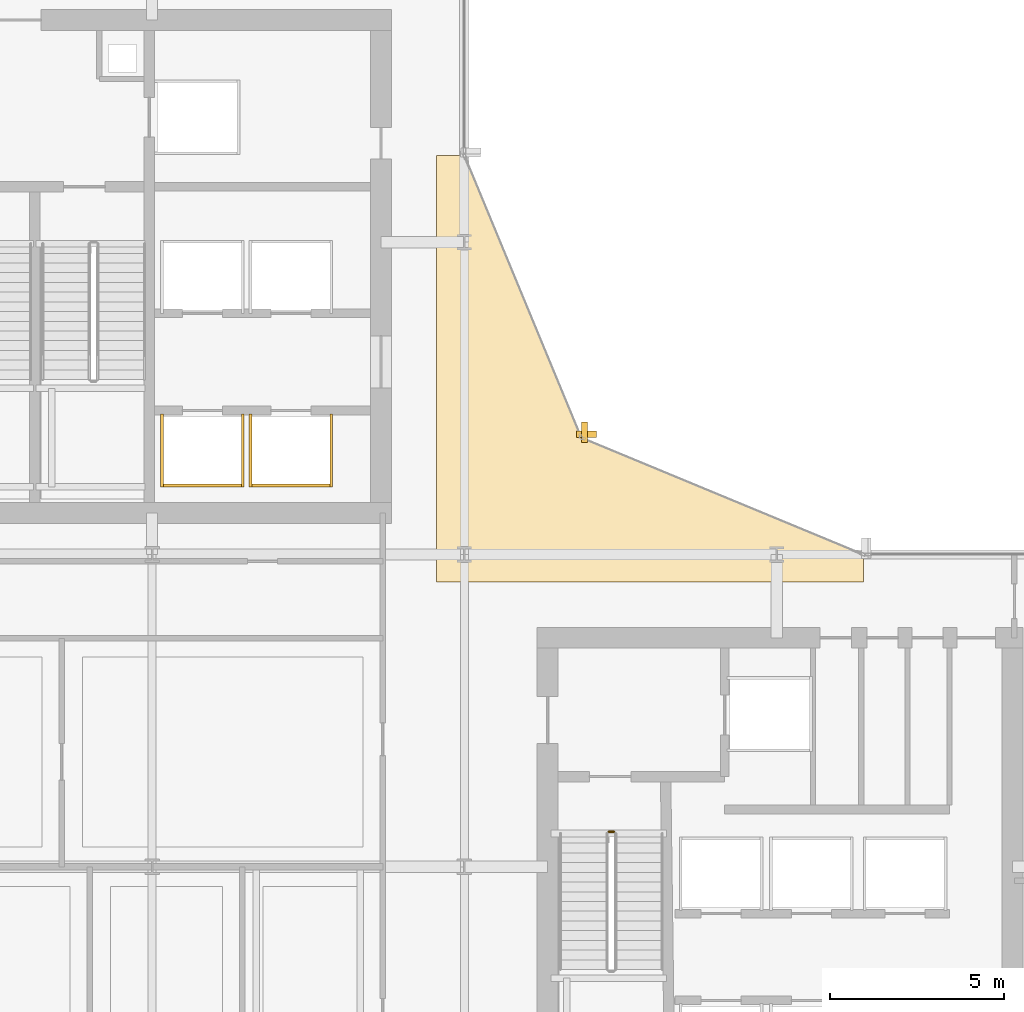
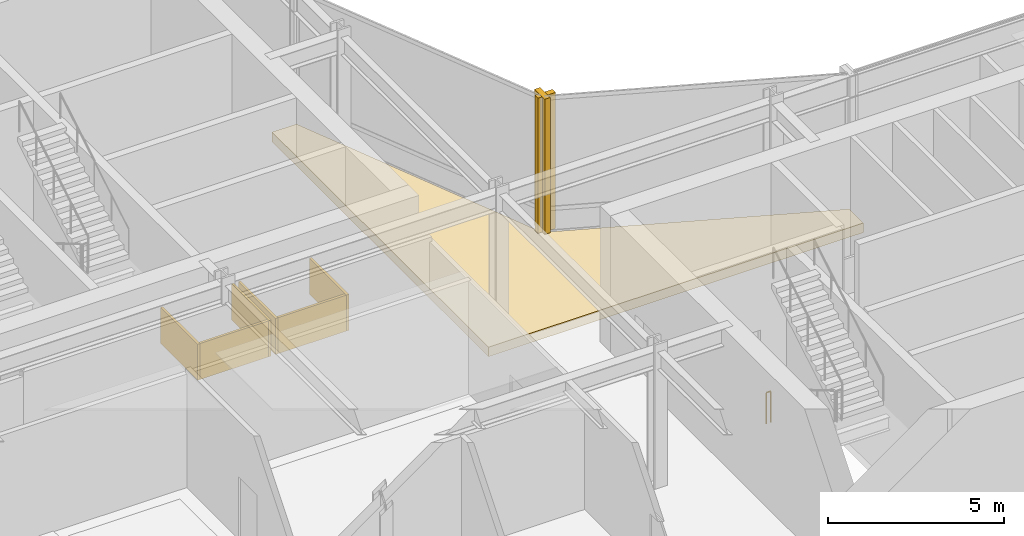
# One storey, part 30 of 33: 9 coverings, 1 railing.
"""IFC4 building model written with IfcOpenShell, lengths in metres."""

from ifc_helpers import new_model, si_unit, direction, frame, origin, origin_2d, place, context, subcontext, project, spatial, polyline, rectangle, circle, outline, extrude, material, layer, layer_set, type_object, element, save


model = new_model("IFC4")

# Units and contexts
model_context = context("Model", 3, precision=1e-05, world=origin(), true_north=direction((0.0, 1.0)))
body_context = subcontext(model_context, "Body", "Model", "MODEL_VIEW")
ifc_project = project(units=[si_unit("LENGTHUNIT", "METRE"), si_unit("AREAUNIT", "SQUARE_METRE"), si_unit("VOLUMEUNIT", "CUBIC_METRE"), si_unit("PLANEANGLEUNIT", "RADIAN"), si_unit("MASSUNIT", "GRAM", prefix="KILO")], contexts=[model_context])

# Site, building, storey
site_placement = place(None, origin())
site = spatial("IfcSite", under=ifc_project, at=site_placement, CompositionType="ELEMENT")
building_placement = place(site_placement, origin())
building = spatial("IfcBuilding", under=site, at=building_placement, Name="Solvaryn Broadcast Tower", CompositionType="ELEMENT")
storey_placement = place(building_placement, frame((0.0, 0.0, 105.0)))
storey = spatial("IfcBuildingStorey", under=building, at=storey_placement, Name="L25", CompositionType="ELEMENT", Elevation=105.0)

# Coverings
ifc_material_1 = material(Name="Fire-Rated Gypsum Shaftwall Liner", Category="concrete")
ifc_layer_1 = layer(ifc_material_1, 0.080078125)
ifc_layer_set_1 = layer_set([ifc_layer_1], Name="CV-SHAFT-LINER")
covering_type_1 = type_object("IfcCoveringType", Name="CV-SHAFT-LINER", PredefinedType="CLADDING", material=ifc_layer_set_1)
covering_1_placement = place(storey_placement, frame((19.449951171875, 28.985107421875, 0.0), z_axis=(0.0, 0.0, 1.0), x_axis=(1.0, 0.0, 0.0)))
element("IfcCovering", 1, at=covering_1_placement, inside=storey, type_object=covering_type_1, Name="L25 PH1 Hoistway Shaft Liner South", PredefinedType="CLADDING", context=body_context, shape_type="SweptSolid", body=[
    extrude(rectangle(XDim=2.409912109375, YDim=0.080078125, at=origin_2d()), origin(), (0.0, 0.0, 1.0), 1.25),
])
for number, where, z_axis, x_axis, name in (
    (2, (20.614990234375, 30.0, 0.0), (0.0, 0.0, 1.0), (1.0, 0.0, 0.0), "L25 PH1 Hoistway Shaft Liner East"),
    (3, (18.284912109375, 30.0, 0.0), (0.0, 0.0, 1.0), (1.0, 0.0, 0.0), "L25 PH1 Hoistway Shaft Liner West"),
):
    element("IfcCovering", number, at=place(storey_placement, frame(where, z_axis=z_axis, x_axis=x_axis)), inside=storey, type_object=covering_type_1, Name=name, PredefinedType="CLADDING", context=body_context, shape_type="SweptSolid", body=[
        extrude(rectangle(XDim=0.080078125, YDim=2.110107421875, at=origin_2d()), origin(), (0.0, 0.0, 1.0), 1.25),
    ])
covering_2_placement = place(storey_placement, frame((22.0, 28.985107421875, 0.0), z_axis=(0.0, 0.0, 1.0), x_axis=(1.0, 0.0, 0.0)))
element("IfcCovering", 4, at=covering_2_placement, inside=storey, type_object=covering_type_1, Name="L25 PH2 Hoistway Shaft Liner South", PredefinedType="CLADDING", context=body_context, shape_type="SweptSolid", body=[
    extrude(rectangle(XDim=2.409912109375, YDim=0.080078125, at=origin_2d()), origin(), (0.0, 0.0, 1.0), 1.25),
])
for number, where, z_axis, x_axis, name in (
    (5, (23.1650390625, 30.0, 0.0), (0.0, 0.0, 1.0), (1.0, 0.0, 0.0), "L25 PH2 Hoistway Shaft Liner East"),
    (6, (20.8349609375, 30.0, 0.0), (0.0, 0.0, 1.0), (1.0, 0.0, 0.0), "L25 PH2 Hoistway Shaft Liner West"),
):
    element("IfcCovering", number, at=place(storey_placement, frame(where, z_axis=z_axis, x_axis=x_axis)), inside=storey, type_object=covering_type_1, Name=name, PredefinedType="CLADDING", context=body_context, shape_type="SweptSolid", body=[
        extrude(rectangle(XDim=0.080078125, YDim=2.110107421875, at=origin_2d()), origin(), (0.0, 0.0, 1.0), 1.25),
    ])
ifc_material_2 = material(Name="Extruded Architectural Terracotta Fin", Category="masonry")
ifc_layer_2 = layer(ifc_material_2, 0.179931640625)
ifc_layer_set_2 = layer_set([ifc_layer_2], Name="CV-TC-FIN")
covering_type_2 = type_object("IfcCoveringType", Name="CV-TC-FIN", PredefinedType="USERDEFINED", material=ifc_layer_set_2)
covering_3_placement = place(storey_placement, frame((30.464599609375, 30.52294921875, 0.0), z_axis=(0.0, 0.0, 1.0), x_axis=(1.0, 0.0, 0.0)))
element("IfcCovering", 7, at=covering_3_placement, inside=storey, type_object=covering_type_2, Name="L25 Terracotta Vertical Fin FIN-L25-CN1-M01", ObjectType="FIN", PredefinedType="USERDEFINED", context=body_context, shape_type="SweptSolid", body=[
    extrude(rectangle(XDim=0.179931640625, YDim=0.580078125, at=origin_2d()), origin(), (0.0, 0.0, 1.0), 4.719970703125),
])
covering_4_placement = place(storey_placement, frame((30.52294921875, 30.464599609375, 0.0), z_axis=(0.0, 0.0, 1.0), x_axis=(1.0, 0.0, 0.0)))
element("IfcCovering", 8, at=covering_4_placement, inside=storey, type_object=covering_type_2, Name="L25 Terracotta Vertical Fin FIN-L25-CN2-M00", ObjectType="FIN", PredefinedType="USERDEFINED", context=body_context, shape_type="SweptSolid", body=[
    extrude(rectangle(XDim=0.580078125, YDim=0.179931640625, at=origin_2d()), origin(), (0.0, 0.0, 1.0), 4.719970703125),
])
ifc_material_3 = material(Name="Sculpted Architectural Terracotta Wave Fascia", Category="masonry")
ifc_layer_3 = layer(ifc_material_3, 0.340087890625)
ifc_layer_set_3 = layer_set([ifc_layer_3], Name="CV-WAVE-TRAY")
covering_type_3 = type_object("IfcCoveringType", Name="CV-WAVE-TRAY", PredefinedType="CLADDING", material=ifc_layer_set_3)
covering_5_placement = place(storey_placement, frame((0.0, 0.0, -0.300048828125)))
element("IfcCovering", 9, at=covering_5_placement, inside=storey, type_object=covering_type_3, Name="L25 Concave Canyon Floor Apron", PredefinedType="CLADDING", context=body_context, shape_type="SweptSolid", body=[
    extrude(outline(polyline([(26.199951171875, 26.199951171875), (38.5, 26.199951171875), (38.5, 27.0), (30.367919921875, 30.367919921875), (27.0, 38.5), (26.199951171875, 38.5), (26.199951171875, 26.199951171875)])), origin(), (0.0, 0.0, 1.0), 0.330078125),
])

# Railing
ifc_material_4 = material(Name="Painted Steel Stair Well Guard", Category="steel")
railing_type = type_object("IfcRailingType", Name="RL-STAIR-GUARD", PredefinedType="BALUSTRADE", material=ifc_material_4)
railing_placement = place(storey_placement, frame((31.159912109375, 19.010009765625, 0.0)))
element("IfcRailing", 10, at=railing_placement, inside=storey, type_object=railing_type, Name="L25 ST3 stair guard 4", PredefinedType="BALUSTRADE", context=body_context, shape_type="SweptSolid", body=[
    extrude(circle(Radius=0.02392578125, at=origin_2d()), frame((0.0, 0.0, 1.076171875), z_axis=(1.0, 0.0, 0.0), x_axis=(0.0, 1.0, 0.0)), (0.0, 0.0, 1.0), 0.150146484375),
    extrude(circle(Radius=0.02099609375, at=origin_2d()), origin(), (0.0, 0.0, 1.0), 1.052001953125),
    extrude(circle(Radius=0.02099609375, at=origin_2d()), frame((0.150146484375, 0.0, 0.0)), (0.0, 0.0, 1.0), 1.052001953125),
])

save(model, "model.ifc")
